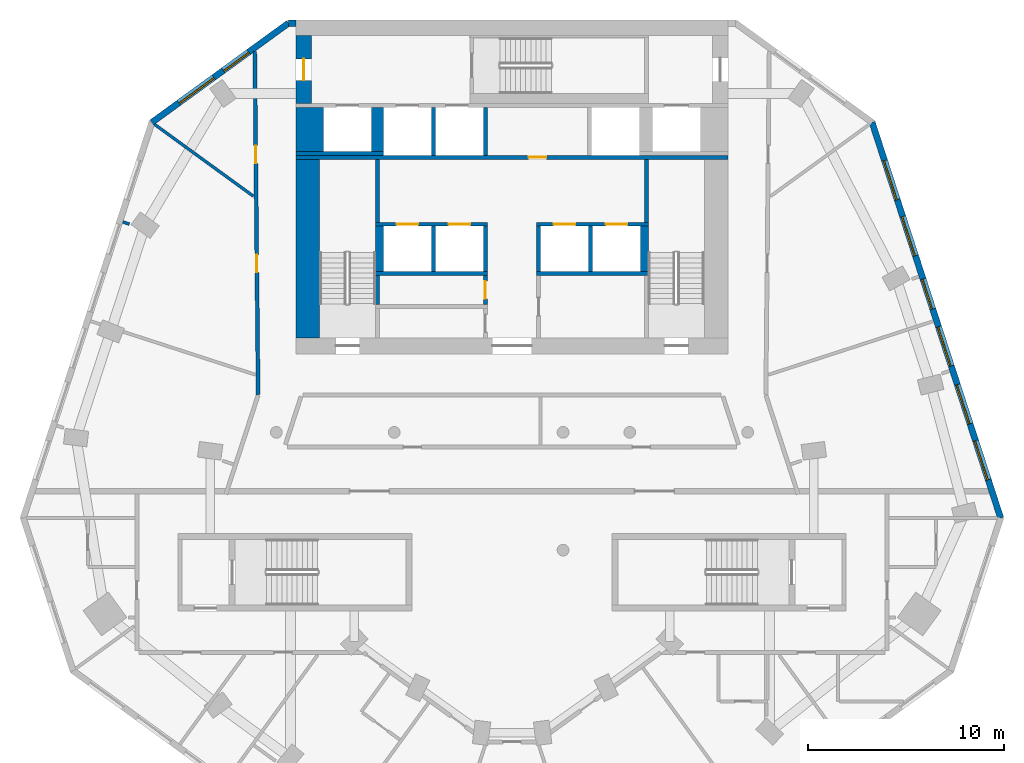
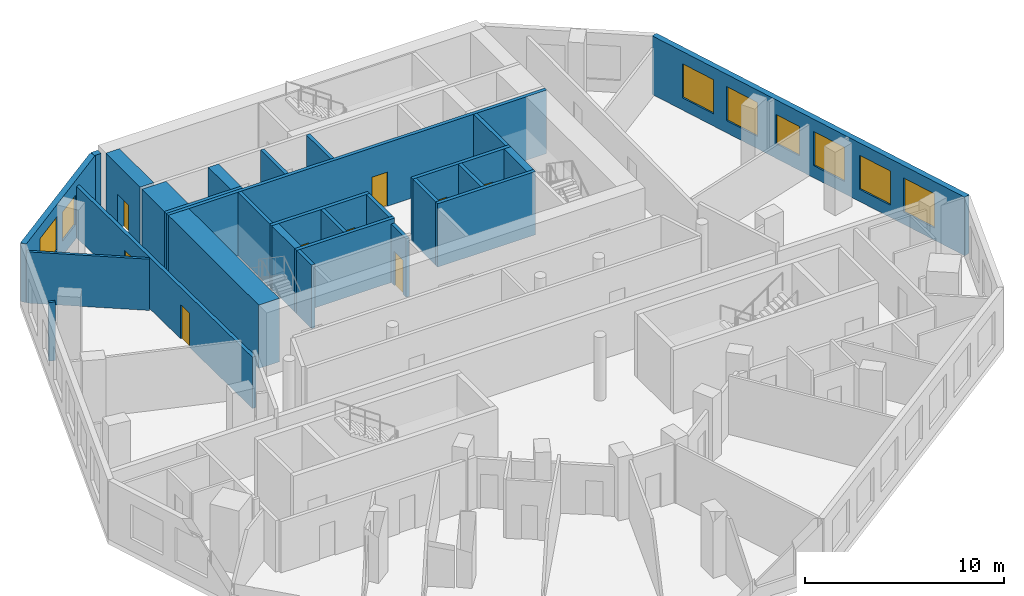
# One storey, part 5 of 9: 28 walls, 9 doors, 8 windows, 17 openings.
"""IFC4 building model written with IfcOpenShell, lengths in metres."""

from ifc_helpers import new_model, si_unit, direction, frame, frame_2d, origin, place, context, subcontext, project, spatial, rectangle, extrude, material, layer, layer_set, type_object, element, fill, save


model = new_model("IFC4")

# Units and contexts
model_context = context("Model", 3, precision=1e-05, world=origin(), true_north=direction((0.0, 1.0)))
body_context = subcontext(model_context, "Body", "Model", "MODEL_VIEW")
ifc_project = project(units=[si_unit("LENGTHUNIT", "METRE"), si_unit("AREAUNIT", "SQUARE_METRE"), si_unit("VOLUMEUNIT", "CUBIC_METRE"), si_unit("PLANEANGLEUNIT", "RADIAN"), si_unit("MASSUNIT", "GRAM", prefix="KILO")], contexts=[model_context])

# Site, building, storey
site_placement = place(None, origin())
site = spatial("IfcSite", under=ifc_project, at=site_placement, CompositionType="ELEMENT")
building_placement = place(site_placement, origin())
building = spatial("IfcBuilding", under=site, at=building_placement, Name="White Candle Pilgrim Tower", CompositionType="ELEMENT")
storey_placement = place(building_placement, frame((0.0, 0.0, 204.300048828125)))
storey = spatial("IfcBuildingStorey", under=building, at=storey_placement, Name="L47", CompositionType="ELEMENT", Elevation=204.300048828125)

# Walls
ifc_material_1 = material(Name="Concrete C50/60", Category="concrete")
ifc_layer_1 = layer(ifc_material_1, 1.39990234375)
ifc_layer_set_1 = layer_set([ifc_layer_1], Name="Core wall 1400 mm Concrete C50/60")
wall_type_1 = type_object("IfcWallType", Name="Core wall 1400 mm Concrete C50/60", PredefinedType="SHEAR", material=ifc_layer_set_1)
wall_1_placement = place(storey_placement, frame((59.699951171875, 81.300048828125, 0.0), z_axis=(0.0, 0.0, 1.0), x_axis=(0.0, 1.0, 0.0)))
element("IfcWall", 1, at=wall_1_placement, inside=storey, type_object=wall_type_1, Name="WL-L47-C39", PredefinedType="SHEAR", context=body_context, shape_type="SweptSolid", body=[
    extrude(rectangle(XDim=2.25, YDim=1.39990234375, at=frame_2d((1.125, 0.0))), origin(), (0.0, 0.0, 1.0), 3.89990234375),
])
ifc_layer_2 = layer(ifc_material_1, 0.199951171875)
ifc_layer_set_2 = layer_set([ifc_layer_2], Name="Core wall 200 mm Concrete C50/60")
wall_type_2 = type_object("IfcWallType", Name="Core wall 200 mm Concrete C50/60", PredefinedType="SHEAR", material=ifc_layer_set_2)
wall_2_placement = place(storey_placement, frame((59.0, 81.199951171875, 0.0), z_axis=(0.0, 0.0, 1.0), x_axis=(1.0, 0.0, 0.0)))
element("IfcWall", 2, at=wall_2_placement, inside=storey, type_object=wall_type_2, Name="WL-L47-C34", PredefinedType="SHEAR", context=body_context, shape_type="SweptSolid", body=[
    extrude(rectangle(XDim=4.449951171875, YDim=0.199951171875, at=frame_2d((2.22509765625, 0.0))), origin(), (0.0, 0.0, 1.0), 3.89990234375),
])

# Wall, opening, door
ifc_layer_3 = layer(ifc_material_1, 0.800048828125)
ifc_layer_set_3 = layer_set([ifc_layer_3], Name="Core wall 800 mm Concrete C50/60")
wall_type_3 = type_object("IfcWallType", Name="Core wall 800 mm Concrete C50/60", PredefinedType="SHEAR", material=ifc_layer_set_3)
wall_3_placement = place(storey_placement, frame((59.39990234375, 83.75, 0.0), z_axis=(0.0, 0.0, 1.0), x_axis=(0.0, 1.0, 0.0)))
wall_3 = element("IfcWall", 3, at=wall_3_placement, inside=storey, type_object=wall_type_3, Name="WL-L47-C44", PredefinedType="SHEAR", context=body_context, shape_type="SweptSolid", body=[
    extrude(rectangle(XDim=3.449951171875, YDim=0.800048828125, at=frame_2d((1.72509765625, 0.0))), origin(), (0.0, 0.0, 1.0), 3.89990234375),
])
opening_1_placement = place(wall_3_placement, frame((1.175048828125, 0.0, 0.0)))
opening_1 = element("IfcOpeningElement", 4, at=opening_1_placement, cuts=wall_3, Name="Opening T14-008", PredefinedType="OPENING", context=body_context, shape_type="SweptSolid", body=[
    extrude(rectangle(XDim=1.10009765625, YDim=2.10009765625, at=frame_2d((0.550048828125, 1.050048828125))), frame((0.0, 0.409912109375, 0.0), z_axis=(0.0, -1.0, 0.0), x_axis=(1.0, 0.0, 0.0)), (0.0, 0.0, 1.0), 0.820068359375),
])
ifc_material_2 = material(Name="Steel door leaf", Category="steel")
door_type_1 = type_object("IfcDoorType", Name="Fire door 1100 x 2100 EI 60", OperationType="NOTDEFINED", PredefinedType="DOOR", material=ifc_material_2)
door_1_placement = place(opening_1_placement, origin())
door_1 = element("IfcDoor", 5, at=door_1_placement, inside=storey, type_object=door_type_1, Name="Door T14-008", OperationType="SINGLE_SWING_RIGHT", OverallHeight=2.10009765625, OverallWidth=1.10009765625, PredefinedType="DOOR", context=body_context, shape_type="SweptSolid", body=[
    extrude(rectangle(XDim=1.10009765625, YDim=2.10009765625, at=frame_2d((0.550048828125, 1.050048828125))), frame((0.0, 0.02490234375, 0.0), z_axis=(0.0, -1.0, 0.0), x_axis=(1.0, 0.0, 0.0)), (0.0, 0.0, 1.0), 0.050048828125),
])
fill(opening_1, door_1)

# Wall, openings, doors
ifc_material_3 = material(Name="Gypsum board on steel studs", Category="steel")
ifc_layer_4 = layer(ifc_material_3, 0.199951171875)
ifc_layer_set_4 = layer_set([ifc_layer_4], Name="Corridor wall 200 mm EI 45")
wall_type_4 = type_object("IfcWallType", Name="Corridor wall 200 mm EI 45", PredefinedType="PARTITIONING", material=ifc_layer_set_4)
wall_4_placement = place(storey_placement, frame((57.072021484375, 68.916259765625, 0.0), z_axis=(0.0, 0.0, 1.0), x_axis=(-0.009846166448, 0.999951525328, 0.0)))
wall_4 = element("IfcWall", 6, at=wall_4_placement, inside=storey, type_object=wall_type_4, Name="WL-L47-P003", PredefinedType="PARTITIONING", context=body_context, shape_type="SweptSolid", body=[
    extrude(rectangle(XDim=17.480712890625, YDim=0.199951171875, at=frame_2d((8.740234375, 0.0))), origin(), (0.0, 0.0, 1.0), 3.14990234375),
])
opening_2_placement = place(wall_4_placement, frame((6.227294921875, 0.0, 0.0)))
opening_2 = element("IfcOpeningElement", 7, at=opening_2_placement, cuts=wall_4, Name="Opening T14-119", PredefinedType="OPENING", context=body_context, shape_type="SweptSolid", body=[
    extrude(rectangle(XDim=0.89990234375, YDim=2.10009765625, at=frame_2d((0.449951171875, 1.050048828125))), frame((0.0, 0.10986328125, 0.0), z_axis=(0.0, -1.0, 0.0), x_axis=(1.0, 0.0, 0.0)), (0.0, 0.0, 1.0), 0.219970703125),
])
opening_3_placement = place(wall_4_placement, frame((11.78662109375, 0.0, 0.0)))
opening_3 = element("IfcOpeningElement", 8, at=opening_3_placement, cuts=wall_4, Name="Opening T14-120", PredefinedType="OPENING", context=body_context, shape_type="SweptSolid", body=[
    extrude(rectangle(XDim=0.89990234375, YDim=2.10009765625, at=frame_2d((0.449951171875, 1.050048828125))), frame((0.0, 0.10986328125, 0.0), z_axis=(0.0, -1.0, 0.0), x_axis=(1.0, 0.0, 0.0)), (0.0, 0.0, 1.0), 0.219970703125),
])
door_type_2 = type_object("IfcDoorType", Name="Fire door 900 x 2100 EI 30", OperationType="NOTDEFINED", PredefinedType="DOOR", material=ifc_material_2)
door_2_placement = place(opening_2_placement, origin())
door_2 = element("IfcDoor", 9, at=door_2_placement, inside=storey, type_object=door_type_2, Name="Door T14-119", OperationType="SINGLE_SWING_LEFT", OverallHeight=2.10009765625, OverallWidth=0.89990234375, PredefinedType="DOOR", context=body_context, shape_type="SweptSolid", body=[
    extrude(rectangle(XDim=0.89990234375, YDim=2.10009765625, at=frame_2d((0.449951171875, 1.050048828125))), frame((0.0, 0.02490234375, 0.0), z_axis=(0.0, -1.0, 0.0), x_axis=(1.0, 0.0, 0.0)), (0.0, 0.0, 1.0), 0.050048828125),
])
fill(opening_2, door_2)
door_3_placement = place(opening_3_placement, origin())
door_3 = element("IfcDoor", 10, at=door_3_placement, inside=storey, type_object=door_type_2, Name="Door T14-120", OperationType="SINGLE_SWING_RIGHT", OverallHeight=2.10009765625, OverallWidth=0.89990234375, PredefinedType="DOOR", context=body_context, shape_type="SweptSolid", body=[
    extrude(rectangle(XDim=0.89990234375, YDim=2.10009765625, at=frame_2d((0.449951171875, 1.050048828125))), frame((0.0, 0.02490234375, 0.0), z_axis=(0.0, -1.0, 0.0), x_axis=(1.0, 0.0, 0.0)), (0.0, 0.0, 1.0), 0.050048828125),
])
fill(opening_3, door_3)

# Wall, openings, windows
ifc_material_4 = material(Name="Precast concrete C40/50", Category="concrete")
ifc_layer_5 = layer(ifc_material_4, 0.320068359375)
ifc_layer_set_5 = layer_set([ifc_layer_5], Name="Facade wall EW1 precast concrete C40/50 pier wall with timber-lined reveals")
wall_type_5 = type_object("IfcWallType", Name="Facade wall EW1 precast concrete C40/50 pier wall with timber-lined reveals", PredefinedType="SOLIDWALL", material=ifc_layer_set_5)
wall_5_placement = place(storey_placement, frame((94.88720703125, 62.6416015625, 0.0), z_axis=(0.0, 0.0, 1.0), x_axis=(-0.309019087741, 0.951055836117, 0.0)))
wall_5 = element("IfcWall", 11, at=wall_5_placement, inside=storey, type_object=wall_type_5, Name="Facade wall L47 ENE", PredefinedType="SOLIDWALL", context=body_context, shape_type="SweptSolid", body=[
    extrude(rectangle(XDim=21.180419921875, YDim=0.320068359375, at=frame_2d((10.59033203125, 0.0))), origin(), (0.0, 0.0, 1.0), 3.599853515625),
])
opening_4_placement = place(wall_5_placement, frame((2.040283203125, 0.0, 0.75)))
opening_4 = element("IfcOpeningElement", 12, at=opening_4_placement, cuts=wall_5, Name="Opening W3", PredefinedType="OPENING", context=body_context, shape_type="SweptSolid", body=[
    extrude(rectangle(XDim=2.10009765625, YDim=2.10009765625, at=frame_2d((1.050048828125, 1.050048828125))), frame((0.0, 0.169921875, 0.0), z_axis=(0.0, -1.0, 0.0), x_axis=(1.0, 0.0, 0.0)), (0.0, 0.0, 1.0), 0.340087890625),
])
opening_5_placement = place(wall_5_placement, frame((5.040283203125, 0.0, 0.75)))
opening_5 = element("IfcOpeningElement", 13, at=opening_5_placement, cuts=wall_5, Name="Opening W3", PredefinedType="OPENING", context=body_context, shape_type="SweptSolid", body=[
    extrude(rectangle(XDim=2.10009765625, YDim=2.10009765625, at=frame_2d((1.050048828125, 1.050048828125))), frame((0.0, 0.169921875, 0.0), z_axis=(0.0, -1.0, 0.0), x_axis=(1.0, 0.0, 0.0)), (0.0, 0.0, 1.0), 0.340087890625),
])
opening_6_placement = place(wall_5_placement, frame((8.14013671875, 0.0, 0.75)))
opening_6 = element("IfcOpeningElement", 14, at=opening_6_placement, cuts=wall_5, Name="Opening W3", PredefinedType="OPENING", context=body_context, shape_type="SweptSolid", body=[
    extrude(rectangle(XDim=2.10009765625, YDim=2.10009765625, at=frame_2d((1.050048828125, 1.050048828125))), frame((0.0, 0.169921875, 0.0), z_axis=(0.0, -1.0, 0.0), x_axis=(1.0, 0.0, 0.0)), (0.0, 0.0, 1.0), 0.340087890625),
])
opening_7_placement = place(wall_5_placement, frame((11.190185546875, 0.0, 0.89990234375)))
opening_7 = element("IfcOpeningElement", 15, at=opening_7_placement, cuts=wall_5, Name="Opening W2", PredefinedType="OPENING", context=body_context, shape_type="SweptSolid", body=[
    extrude(rectangle(XDim=1.60009765625, YDim=1.800048828125, at=frame_2d((0.800048828125, 0.89990234375))), frame((0.0, 0.169921875, 0.0), z_axis=(0.0, -1.0, 0.0), x_axis=(1.0, 0.0, 0.0)), (0.0, 0.0, 1.0), 0.340087890625),
])
opening_8_placement = place(wall_5_placement, frame((14.040283203125, 0.0, 0.75)))
opening_8 = element("IfcOpeningElement", 16, at=opening_8_placement, cuts=wall_5, Name="Opening W3", PredefinedType="OPENING", context=body_context, shape_type="SweptSolid", body=[
    extrude(rectangle(XDim=2.10009765625, YDim=2.10009765625, at=frame_2d((1.050048828125, 1.050048828125))), frame((0.0, 0.169921875, 0.0), z_axis=(0.0, -1.0, 0.0), x_axis=(1.0, 0.0, 0.0)), (0.0, 0.0, 1.0), 0.340087890625),
])
opening_9_placement = place(wall_5_placement, frame((17.040283203125, 0.0, 0.75)))
opening_9 = element("IfcOpeningElement", 17, at=opening_9_placement, cuts=wall_5, Name="Opening W3", PredefinedType="OPENING", context=body_context, shape_type="SweptSolid", body=[
    extrude(rectangle(XDim=2.10009765625, YDim=2.10009765625, at=frame_2d((1.050048828125, 1.050048828125))), frame((0.0, 0.169921875, 0.0), z_axis=(0.0, -1.0, 0.0), x_axis=(1.0, 0.0, 0.0)), (0.0, 0.0, 1.0), 0.340087890625),
])
ifc_material_5 = material(Name="Timber frame with triple glazing", Category="wood")
window_type_1 = type_object("IfcWindowType", Name="Window W2 1600x1800 timber frame triple glazing", PartitioningType="SINGLE_PANEL", PredefinedType="WINDOW", material=ifc_material_5)
window_1_placement = place(opening_7_placement, origin())
window_1 = element("IfcWindow", 18, at=window_1_placement, inside=storey, type_object=window_type_1, Name="Window W2 L47 ENE 4", OverallHeight=1.800048828125, OverallWidth=1.60009765625, PartitioningType="SINGLE_PANEL", PredefinedType="WINDOW", context=body_context, shape_type="SweptSolid", body=[
    extrude(rectangle(XDim=1.60009765625, YDim=1.800048828125, at=frame_2d((0.800048828125, 0.89990234375))), frame((0.0, 0.070068359375, 0.0), z_axis=(0.0, -1.0, 0.0), x_axis=(1.0, 0.0, 0.0)), (0.0, 0.0, 1.0), 0.06005859375),
])
fill(opening_7, window_1)
window_type_2 = type_object("IfcWindowType", Name="Window W3 2100x2100 timber frame triple glazing", PartitioningType="SINGLE_PANEL", PredefinedType="WINDOW", material=ifc_material_5)
window_2_placement = place(opening_4_placement, origin())
window_2 = element("IfcWindow", 19, at=window_2_placement, inside=storey, type_object=window_type_2, Name="Window W3 L47 ENE 1", OverallHeight=2.10009765625, OverallWidth=2.10009765625, PartitioningType="SINGLE_PANEL", PredefinedType="WINDOW", context=body_context, shape_type="SweptSolid", body=[
    extrude(rectangle(XDim=2.10009765625, YDim=2.10009765625, at=frame_2d((1.050048828125, 1.050048828125))), frame((0.0, 0.070068359375, 0.0), z_axis=(0.0, -1.0, 0.0), x_axis=(1.0, 0.0, 0.0)), (0.0, 0.0, 1.0), 0.06005859375),
])
fill(opening_4, window_2)
window_3_placement = place(opening_5_placement, origin())
window_3 = element("IfcWindow", 20, at=window_3_placement, inside=storey, type_object=window_type_2, Name="Window W3 L47 ENE 2", OverallHeight=2.10009765625, OverallWidth=2.10009765625, PartitioningType="SINGLE_PANEL", PredefinedType="WINDOW", context=body_context, shape_type="SweptSolid", body=[
    extrude(rectangle(XDim=2.10009765625, YDim=2.10009765625, at=frame_2d((1.050048828125, 1.050048828125))), frame((0.0, 0.070068359375, 0.0), z_axis=(0.0, -1.0, 0.0), x_axis=(1.0, 0.0, 0.0)), (0.0, 0.0, 1.0), 0.06005859375),
])
fill(opening_5, window_3)
window_4_placement = place(opening_6_placement, origin())
window_4 = element("IfcWindow", 21, at=window_4_placement, inside=storey, type_object=window_type_2, Name="Window W3 L47 ENE 3", OverallHeight=2.10009765625, OverallWidth=2.10009765625, PartitioningType="SINGLE_PANEL", PredefinedType="WINDOW", context=body_context, shape_type="SweptSolid", body=[
    extrude(rectangle(XDim=2.10009765625, YDim=2.10009765625, at=frame_2d((1.050048828125, 1.050048828125))), frame((0.0, 0.070068359375, 0.0), z_axis=(0.0, -1.0, 0.0), x_axis=(1.0, 0.0, 0.0)), (0.0, 0.0, 1.0), 0.06005859375),
])
fill(opening_6, window_4)
window_5_placement = place(opening_8_placement, origin())
window_5 = element("IfcWindow", 22, at=window_5_placement, inside=storey, type_object=window_type_2, Name="Window W3 L47 ENE 5", OverallHeight=2.10009765625, OverallWidth=2.10009765625, PartitioningType="SINGLE_PANEL", PredefinedType="WINDOW", context=body_context, shape_type="SweptSolid", body=[
    extrude(rectangle(XDim=2.10009765625, YDim=2.10009765625, at=frame_2d((1.050048828125, 1.050048828125))), frame((0.0, 0.070068359375, 0.0), z_axis=(0.0, -1.0, 0.0), x_axis=(1.0, 0.0, 0.0)), (0.0, 0.0, 1.0), 0.06005859375),
])
fill(opening_8, window_5)
window_6_placement = place(opening_9_placement, origin())
window_6 = element("IfcWindow", 23, at=window_6_placement, inside=storey, type_object=window_type_2, Name="Window W3 L47 ENE 6", OverallHeight=2.10009765625, OverallWidth=2.10009765625, PartitioningType="SINGLE_PANEL", PredefinedType="WINDOW", context=body_context, shape_type="SweptSolid", body=[
    extrude(rectangle(XDim=2.10009765625, YDim=2.10009765625, at=frame_2d((1.050048828125, 1.050048828125))), frame((0.0, 0.070068359375, 0.0), z_axis=(0.0, -1.0, 0.0), x_axis=(1.0, 0.0, 0.0)), (0.0, 0.0, 1.0), 0.06005859375),
])
fill(opening_9, window_6)

# Wall
wall_6_placement = place(storey_placement, frame((59.0, 87.840087890625, 0.0), z_axis=(0.0, 0.0, 1.0), x_axis=(-1.0, 0.0, 0.0)))
element("IfcWall", 24, at=wall_6_placement, inside=storey, type_object=wall_type_5, Name="Facade wall L47 N", PredefinedType="SOLIDWALL", context=body_context, shape_type="SweptSolid", body=[
    extrude(rectangle(XDim=0.385009765625, YDim=0.320068359375, at=frame_2d((0.1923828125, 0.0))), origin(), (0.0, 0.0, 1.0), 3.599853515625),
])

# Wall, openings, windows
wall_7_placement = place(storey_placement, frame((58.614990234375, 87.840087890625, 0.0), z_axis=(0.0, 0.0, 1.0), x_axis=(-0.809010998506, -0.58779350481, 0.0)))
wall_7 = element("IfcWall", 25, at=wall_7_placement, inside=storey, type_object=wall_type_5, Name="Facade wall L47 NW chamfer", PredefinedType="SOLIDWALL", context=body_context, shape_type="SweptSolid", body=[
    extrude(rectangle(XDim=8.599365234375, YDim=0.320068359375, at=frame_2d((4.2998046875, 0.0))), origin(), (0.0, 0.0, 1.0), 3.599853515625),
])
opening_10_placement = place(wall_7_placement, frame((2.499755859375, 0.0, 0.89990234375)))
opening_10 = element("IfcOpeningElement", 26, at=opening_10_placement, cuts=wall_7, Name="Opening W2", PredefinedType="OPENING", context=body_context, shape_type="SweptSolid", body=[
    extrude(rectangle(XDim=1.60009765625, YDim=1.800048828125, at=frame_2d((0.800048828125, 0.89990234375))), frame((0.0, 0.169921875, 0.0), z_axis=(0.0, -1.0, 0.0), x_axis=(1.0, 0.0, 0.0)), (0.0, 0.0, 1.0), 0.340087890625),
])
opening_11_placement = place(wall_7_placement, frame((4.69970703125, 0.0, 0.75)))
opening_11 = element("IfcOpeningElement", 27, at=opening_11_placement, cuts=wall_7, Name="Opening W4", PredefinedType="OPENING", context=body_context, shape_type="SweptSolid", body=[
    extrude(rectangle(XDim=2.199951171875, YDim=2.10009765625, at=frame_2d((1.10009765625, 1.050048828125))), frame((0.0, 0.169921875, 0.0), z_axis=(0.0, -1.0, 0.0), x_axis=(1.0, 0.0, 0.0)), (0.0, 0.0, 1.0), 0.340087890625),
])
window_7_placement = place(opening_10_placement, origin())
window_7 = element("IfcWindow", 28, at=window_7_placement, inside=storey, type_object=window_type_1, Name="Window W2 L47 NW chamfer 1", OverallHeight=1.800048828125, OverallWidth=1.60009765625, PartitioningType="SINGLE_PANEL", PredefinedType="WINDOW", context=body_context, shape_type="SweptSolid", body=[
    extrude(rectangle(XDim=1.60009765625, YDim=1.800048828125, at=frame_2d((0.800048828125, 0.89990234375))), frame((0.0, 0.070068359375, 0.0), z_axis=(0.0, -1.0, 0.0), x_axis=(1.0, 0.0, 0.0)), (0.0, 0.0, 1.0), 0.06005859375),
])
fill(opening_10, window_7)
window_type_3 = type_object("IfcWindowType", Name="Window W4 2200x2100 timber frame triple glazing", PartitioningType="SINGLE_PANEL", PredefinedType="WINDOW", material=ifc_material_5)
window_8_placement = place(opening_11_placement, origin())
window_8 = element("IfcWindow", 29, at=window_8_placement, inside=storey, type_object=window_type_3, Name="Window W4 L47 NW chamfer 2", OverallHeight=2.10009765625, OverallWidth=2.199951171875, PartitioningType="SINGLE_PANEL", PredefinedType="WINDOW", context=body_context, shape_type="SweptSolid", body=[
    extrude(rectangle(XDim=2.199951171875, YDim=2.10009765625, at=frame_2d((1.10009765625, 1.050048828125))), frame((0.0, 0.070068359375, 0.0), z_axis=(0.0, -1.0, 0.0), x_axis=(1.0, 0.0, 0.0)), (0.0, 0.0, 1.0), 0.06005859375),
])
fill(opening_11, window_8)

# Wall, opening, door
ifc_layer_6 = layer(ifc_material_3, 0.199951171875)
ifc_layer_set_6 = layer_set([ifc_layer_6], Name="Lobby wall 200 mm EI 60")
wall_type_6 = type_object("IfcWallType", Name="Lobby wall 200 mm EI 60", PredefinedType="PARTITIONING", material=ifc_layer_set_6)
wall_8_placement = place(storey_placement, frame((68.64990234375, 73.5, 0.0), z_axis=(0.0, 0.0, 1.0), x_axis=(0.0, 1.0, 0.0)))
wall_8 = element("IfcWall", 30, at=wall_8_placement, inside=storey, type_object=wall_type_6, Name="WL-L47-C20", PredefinedType="PARTITIONING", context=body_context, shape_type="SweptSolid", body=[
    extrude(rectangle(XDim=1.5, YDim=0.199951171875, at=frame_2d((0.75, 0.0))), origin(), (0.0, 0.0, 1.0), 3.599853515625),
])
opening_12_placement = place(wall_8_placement, frame((0.300048828125, 0.0, 0.0)))
opening_12 = element("IfcOpeningElement", 31, at=opening_12_placement, cuts=wall_8, Name="Opening T14-006", PredefinedType="OPENING", context=body_context, shape_type="SweptSolid", body=[
    extrude(rectangle(XDim=0.89990234375, YDim=2.10009765625, at=frame_2d((0.449951171875, 1.050048828125))), frame((0.0, 0.10986328125, 0.0), z_axis=(0.0, -1.0, 0.0), x_axis=(1.0, 0.0, 0.0)), (0.0, 0.0, 1.0), 0.219970703125),
])
door_4_placement = place(opening_12_placement, origin())
door_4 = element("IfcDoor", 32, at=door_4_placement, inside=storey, type_object=door_type_2, Name="Door T14-006", OperationType="SINGLE_SWING_RIGHT", OverallHeight=2.10009765625, OverallWidth=0.89990234375, PredefinedType="DOOR", context=body_context, shape_type="SweptSolid", body=[
    extrude(rectangle(XDim=0.89990234375, YDim=2.10009765625, at=frame_2d((0.449951171875, 1.050048828125))), frame((0.0, 0.02490234375, 0.0), z_axis=(0.0, -1.0, 0.0), x_axis=(1.0, 0.0, 0.0)), (0.0, 0.0, 1.0), 0.050048828125),
])
fill(opening_12, door_4)

# Walls
ifc_layer_7 = layer(ifc_material_3, 0.14990234375)
ifc_layer_set_7 = layer_set([ifc_layer_7], Name="Partition 150 mm EI 60")
wall_type_7 = type_object("IfcWallType", Name="Partition 150 mm EI 60", PredefinedType="PARTITIONING", material=ifc_layer_set_7)
wall_9_placement = place(storey_placement, frame((51.7939453125, 82.6865234375, 0.0), z_axis=(0.0, 0.0, 1.0), x_axis=(0.809027823237, -0.587770347354, 0.0)))
element("IfcWall", 33, at=wall_9_placement, inside=storey, type_object=wall_type_7, Name="WL-L47-P017", PredefinedType="PARTITIONING", context=body_context, shape_type="SweptSolid", body=[
    extrude(rectangle(XDim=6.22216796875, YDim=0.14990234375, at=frame_2d((3.111083984375, 0.0))), origin(), (0.0, 0.0, 1.0), 3.14990234375),
])
wall_10_placement = place(storey_placement, frame((50.514404296875, 77.607421875, 0.0), z_axis=(0.0, 0.0, 1.0), x_axis=(-0.951079872945, 0.308945100753, 0.0)))
element("IfcWall", 34, at=wall_10_placement, inside=storey, type_object=wall_type_7, Name="WL-L47-P051", PredefinedType="PARTITIONING", context=body_context, shape_type="SweptSolid", body=[
    extrude(rectangle(XDim=0.3525390625, YDim=0.14990234375, at=frame_2d((0.17626953125, 0.0))), origin(), (0.0, 0.0, 1.0), 3.599853515625),
])
ifc_layer_8 = layer(ifc_material_1, 0.199951171875)
ifc_layer_set_8 = layer_set([ifc_layer_8], Name="Shaft wall 200 mm Concrete C50/60")
wall_type_8 = type_object("IfcWallType", Name="Shaft wall 200 mm Concrete C50/60", PredefinedType="SHEAR", material=ifc_layer_set_8)
for number, where, z_axis, x_axis, name in (
    (35, (66.0, 75.199951171875, 0.0), (0.0, 0.0, 1.0), (0.0, 1.0, 0.0), "WL-L47-C24"),
    (36, (68.64990234375, 75.199951171875, 0.0), (0.0, 0.0, 1.0), (0.0, 1.0, 0.0), "WL-L47-C25"),
    (37, (71.35009765625, 75.199951171875, 0.0), (0.0, 0.0, 1.0), (0.0, 1.0, 0.0), "WL-L47-C26"),
    (38, (74.0, 75.199951171875, 0.0), (0.0, 0.0, 1.0), (0.0, 1.0, 0.0), "WL-L47-C27"),
):
    element("IfcWall", number, at=place(storey_placement, frame(where, z_axis=z_axis, x_axis=x_axis)), inside=storey, type_object=wall_type_8, Name=name, PredefinedType="SHEAR", context=body_context, shape_type="SweptSolid", body=[
        extrude(rectangle(XDim=2.300048828125, YDim=0.199951171875, at=frame_2d((1.14990234375, 0.0))), origin(), (0.0, 0.0, 1.0), 3.89990234375),
    ])
for number, where, z_axis, x_axis, name in (
    (39, (66.0, 81.10009765625, 0.0), (0.0, 0.0, 1.0), (0.0, 1.0, 0.0), "WL-L47-C35"),
    (40, (68.64990234375, 81.10009765625, 0.0), (0.0, 0.0, 1.0), (0.0, 1.0, 0.0), "WL-L47-C36"),
):
    element("IfcWall", number, at=place(storey_placement, frame(where, z_axis=z_axis, x_axis=x_axis)), inside=storey, type_object=wall_type_8, Name=name, PredefinedType="SHEAR", context=body_context, shape_type="SweptSolid", body=[
        extrude(rectangle(XDim=2.449951171875, YDim=0.199951171875, at=frame_2d((1.22509765625, 0.0))), origin(), (0.0, 0.0, 1.0), 3.89990234375),
    ])
ifc_layer_9 = layer(ifc_material_1, 0.60009765625)
ifc_layer_set_9 = layer_set([ifc_layer_9], Name="Shaft wall 600 mm Concrete C50/60")
wall_type_9 = type_object("IfcWallType", Name="Shaft wall 600 mm Concrete C50/60", PredefinedType="SHEAR", material=ifc_layer_set_9)
wall_11_placement = place(storey_placement, frame((63.14990234375, 81.300048828125, 0.0), z_axis=(0.0, 0.0, 1.0), x_axis=(0.0, 1.0, 0.0)))
element("IfcWall", 41, at=wall_11_placement, inside=storey, type_object=wall_type_9, Name="WL-L47-C40", PredefinedType="SHEAR", context=body_context, shape_type="SweptSolid", body=[
    extrude(rectangle(XDim=2.25, YDim=0.60009765625, at=frame_2d((1.125, 0.0))), origin(), (0.0, 0.0, 1.0), 3.89990234375),
])
ifc_layer_10 = layer(ifc_material_1, 1.199951171875)
ifc_layer_set_10 = layer_set([ifc_layer_10], Name="Stair shaft wall 1200 mm Concrete C50/60")
wall_type_10 = type_object("IfcWallType", Name="Stair shaft wall 1200 mm Concrete C50/60", PredefinedType="SHEAR", material=ifc_layer_set_10)
wall_12_placement = place(storey_placement, frame((59.60009765625, 71.800048828125, 0.0), z_axis=(0.0, 0.0, 1.0), x_axis=(0.0, 1.0, 0.0)))
element("IfcWall", 42, at=wall_12_placement, inside=storey, type_object=wall_type_10, Name="WL-L47-C12", PredefinedType="SHEAR", context=body_context, shape_type="SweptSolid", body=[
    extrude(rectangle(XDim=9.099853515625, YDim=1.199951171875, at=frame_2d((4.5498046875, 0.0))), origin(), (0.0, 0.0, 1.0), 3.89990234375),
])
ifc_layer_11 = layer(ifc_material_1, 0.199951171875)
ifc_layer_set_11 = layer_set([ifc_layer_11], Name="Stair shaft wall 200 mm Concrete C50/60")
wall_type_11 = type_object("IfcWallType", Name="Stair shaft wall 200 mm Concrete C50/60", PredefinedType="SHEAR", material=ifc_layer_set_11)
wall_13_placement = place(storey_placement, frame((63.14990234375, 73.5, 0.0), z_axis=(0.0, 0.0, 1.0), x_axis=(0.0, 1.0, 0.0)))
element("IfcWall", 43, at=wall_13_placement, inside=storey, type_object=wall_type_11, Name="WL-L47-C19", PredefinedType="SHEAR", context=body_context, shape_type="SweptSolid", body=[
    extrude(rectangle(XDim=1.5, YDim=0.199951171875, at=frame_2d((0.75, 0.0))), origin(), (0.0, 0.0, 1.0), 3.89990234375),
])
for number, where, z_axis, x_axis, name in (
    (44, (63.050048828125, 75.10009765625, 0.0), (0.0, 0.0, 1.0), (1.0, 0.0, 0.0), "WL-L47-C21"),
    (45, (71.25, 75.10009765625, 0.0), (0.0, 0.0, 1.0), (1.0, 0.0, 0.0), "WL-L47-C22"),
):
    element("IfcWall", number, at=place(storey_placement, frame(where, z_axis=z_axis, x_axis=x_axis)), inside=storey, type_object=wall_type_11, Name=name, PredefinedType="SHEAR", context=body_context, shape_type="SweptSolid", body=[
        extrude(rectangle(XDim=5.699951171875, YDim=0.199951171875, at=frame_2d((2.85009765625, 0.0))), origin(), (0.0, 0.0, 1.0), 3.89990234375),
    ])

# Wall, openings, doors
wall_14_placement = place(storey_placement, frame((63.050048828125, 77.60009765625, 0.0), z_axis=(0.0, 0.0, 1.0), x_axis=(1.0, 0.0, 0.0)))
wall_14 = element("IfcWall", 46, at=wall_14_placement, inside=storey, type_object=wall_type_11, Name="WL-L47-C29", PredefinedType="SHEAR", context=body_context, shape_type="SweptSolid", body=[
    extrude(rectangle(XDim=5.699951171875, YDim=0.199951171875, at=frame_2d((2.85009765625, 0.0))), origin(), (0.0, 0.0, 1.0), 3.89990234375),
])
opening_13_placement = place(wall_14_placement, frame((1.074951171875, 0.0, 0.0)))
opening_13 = element("IfcOpeningElement", 47, at=opening_13_placement, cuts=wall_14, Name="Opening T14-014", PredefinedType="OPENING", context=body_context, shape_type="SweptSolid", body=[
    extrude(rectangle(XDim=1.10009765625, YDim=2.10009765625, at=frame_2d((0.550048828125, 1.050048828125))), frame((0.0, 0.10986328125, 0.0), z_axis=(0.0, -1.0, 0.0), x_axis=(1.0, 0.0, 0.0)), (0.0, 0.0, 1.0), 0.219970703125),
])
opening_14_placement = place(wall_14_placement, frame((3.72509765625, 0.0, 0.0)))
opening_14 = element("IfcOpeningElement", 48, at=opening_14_placement, cuts=wall_14, Name="Opening T14-015", PredefinedType="OPENING", context=body_context, shape_type="SweptSolid", body=[
    extrude(rectangle(XDim=1.10009765625, YDim=2.10009765625, at=frame_2d((0.550048828125, 1.050048828125))), frame((0.0, 0.10986328125, 0.0), z_axis=(0.0, -1.0, 0.0), x_axis=(1.0, 0.0, 0.0)), (0.0, 0.0, 1.0), 0.219970703125),
])
ifc_material_6 = material(Name="Stainless steel", Category="steel")
door_type_3 = type_object("IfcDoorType", Name="Lift landing door 1100 x 2100 E 60", OperationType="DOUBLE_DOOR_SLIDING", PredefinedType="DOOR", material=ifc_material_6)
door_5_placement = place(opening_13_placement, origin())
door_5 = element("IfcDoor", 49, at=door_5_placement, inside=storey, type_object=door_type_3, Name="Door T14-014", OperationType="DOUBLE_DOOR_SLIDING", OverallHeight=2.10009765625, OverallWidth=1.10009765625, PredefinedType="DOOR", context=body_context, shape_type="SweptSolid", body=[
    extrude(rectangle(XDim=1.10009765625, YDim=2.10009765625, at=frame_2d((0.550048828125, 1.050048828125))), frame((0.0, 0.02490234375, 0.0), z_axis=(0.0, -1.0, 0.0), x_axis=(1.0, 0.0, 0.0)), (0.0, 0.0, 1.0), 0.050048828125),
])
fill(opening_13, door_5)
door_6_placement = place(opening_14_placement, origin())
door_6 = element("IfcDoor", 50, at=door_6_placement, inside=storey, type_object=door_type_3, Name="Door T14-015", OperationType="DOUBLE_DOOR_SLIDING", OverallHeight=2.10009765625, OverallWidth=1.10009765625, PredefinedType="DOOR", context=body_context, shape_type="SweptSolid", body=[
    extrude(rectangle(XDim=1.10009765625, YDim=2.10009765625, at=frame_2d((0.550048828125, 1.050048828125))), frame((0.0, 0.02490234375, 0.0), z_axis=(0.0, -1.0, 0.0), x_axis=(1.0, 0.0, 0.0)), (0.0, 0.0, 1.0), 0.050048828125),
])
fill(opening_14, door_6)

wall_15_placement = place(storey_placement, frame((71.25, 77.60009765625, 0.0), z_axis=(0.0, 0.0, 1.0), x_axis=(1.0, 0.0, 0.0)))
wall_15 = element("IfcWall", 51, at=wall_15_placement, inside=storey, type_object=wall_type_11, Name="WL-L47-C30", PredefinedType="SHEAR", context=body_context, shape_type="SweptSolid", body=[
    extrude(rectangle(XDim=5.699951171875, YDim=0.199951171875, at=frame_2d((2.85009765625, 0.0))), origin(), (0.0, 0.0, 1.0), 3.89990234375),
])
opening_15_placement = place(wall_15_placement, frame((0.875, 0.0, 0.0)))
opening_15 = element("IfcOpeningElement", 52, at=opening_15_placement, cuts=wall_15, Name="Opening T14-016", PredefinedType="OPENING", context=body_context, shape_type="SweptSolid", body=[
    extrude(rectangle(XDim=1.10009765625, YDim=2.10009765625, at=frame_2d((0.550048828125, 1.050048828125))), frame((0.0, 0.10986328125, 0.0), z_axis=(0.0, -1.0, 0.0), x_axis=(1.0, 0.0, 0.0)), (0.0, 0.0, 1.0), 0.219970703125),
])
opening_16_placement = place(wall_15_placement, frame((3.52490234375, 0.0, 0.0)))
opening_16 = element("IfcOpeningElement", 53, at=opening_16_placement, cuts=wall_15, Name="Opening T14-017", PredefinedType="OPENING", context=body_context, shape_type="SweptSolid", body=[
    extrude(rectangle(XDim=1.10009765625, YDim=2.10009765625, at=frame_2d((0.550048828125, 1.050048828125))), frame((0.0, 0.10986328125, 0.0), z_axis=(0.0, -1.0, 0.0), x_axis=(1.0, 0.0, 0.0)), (0.0, 0.0, 1.0), 0.219970703125),
])
door_7_placement = place(opening_15_placement, origin())
door_7 = element("IfcDoor", 54, at=door_7_placement, inside=storey, type_object=door_type_3, Name="Door T14-016", OperationType="DOUBLE_DOOR_SLIDING", OverallHeight=2.10009765625, OverallWidth=1.10009765625, PredefinedType="DOOR", context=body_context, shape_type="SweptSolid", body=[
    extrude(rectangle(XDim=1.10009765625, YDim=2.10009765625, at=frame_2d((0.550048828125, 1.050048828125))), frame((0.0, 0.02490234375, 0.0), z_axis=(0.0, -1.0, 0.0), x_axis=(1.0, 0.0, 0.0)), (0.0, 0.0, 1.0), 0.050048828125),
])
fill(opening_15, door_7)
door_8_placement = place(opening_16_placement, origin())
door_8 = element("IfcDoor", 55, at=door_8_placement, inside=storey, type_object=door_type_3, Name="Door T14-017", OperationType="DOUBLE_DOOR_SLIDING", OverallHeight=2.10009765625, OverallWidth=1.10009765625, PredefinedType="DOOR", context=body_context, shape_type="SweptSolid", body=[
    extrude(rectangle(XDim=1.10009765625, YDim=2.10009765625, at=frame_2d((0.550048828125, 1.050048828125))), frame((0.0, 0.02490234375, 0.0), z_axis=(0.0, -1.0, 0.0), x_axis=(1.0, 0.0, 0.0)), (0.0, 0.0, 1.0), 0.050048828125),
])
fill(opening_16, door_8)

# Walls
for number, where, z_axis, x_axis, name in (
    (56, (63.14990234375, 77.699951171875, 0.0), (0.0, 0.0, 1.0), (0.0, 1.0, 0.0), "WL-L47-C31"),
    (57, (76.85009765625, 77.699951171875, 0.0), (0.0, 0.0, 1.0), (0.0, 1.0, 0.0), "WL-L47-C32"),
):
    element("IfcWall", number, at=place(storey_placement, frame(where, z_axis=z_axis, x_axis=x_axis)), inside=storey, type_object=wall_type_11, Name=name, PredefinedType="SHEAR", context=body_context, shape_type="SweptSolid", body=[
        extrude(rectangle(XDim=3.199951171875, YDim=0.199951171875, at=frame_2d((1.60009765625, 0.0))), origin(), (0.0, 0.0, 1.0), 3.89990234375),
    ])

# Wall, opening, door
wall_16_placement = place(storey_placement, frame((59.0, 81.0, 0.0), z_axis=(0.0, 0.0, 1.0), x_axis=(1.0, 0.0, 0.0)))
wall_16 = element("IfcWall", 58, at=wall_16_placement, inside=storey, type_object=wall_type_11, Name="WL-L47-C33", PredefinedType="SHEAR", context=body_context, shape_type="SweptSolid", body=[
    extrude(rectangle(XDim=22.0, YDim=0.199951171875, at=frame_2d((11.0, 0.0))), origin(), (0.0, 0.0, 1.0), 3.89990234375),
])
opening_17_placement = place(wall_16_placement, frame((11.85009765625, 0.0, 0.0)))
opening_17 = element("IfcOpeningElement", 59, at=opening_17_placement, cuts=wall_16, Name="Opening T14-022", PredefinedType="OPENING", context=body_context, shape_type="SweptSolid", body=[
    extrude(rectangle(XDim=0.89990234375, YDim=2.10009765625, at=frame_2d((0.449951171875, 1.050048828125))), frame((0.0, 0.10986328125, 0.0), z_axis=(0.0, -1.0, 0.0), x_axis=(1.0, 0.0, 0.0)), (0.0, 0.0, 1.0), 0.219970703125),
])
door_9_placement = place(opening_17_placement, origin())
door_9 = element("IfcDoor", 60, at=door_9_placement, inside=storey, type_object=door_type_2, Name="Door T14-022", OperationType="SINGLE_SWING_RIGHT", OverallHeight=2.10009765625, OverallWidth=0.89990234375, PredefinedType="DOOR", context=body_context, shape_type="SweptSolid", body=[
    extrude(rectangle(XDim=0.89990234375, YDim=2.10009765625, at=frame_2d((0.449951171875, 1.050048828125))), frame((0.0, 0.02490234375, 0.0), z_axis=(0.0, -1.0, 0.0), x_axis=(1.0, 0.0, 0.0)), (0.0, 0.0, 1.0), 0.050048828125),
])
fill(opening_17, door_9)

# Walls
ifc_layer_12 = layer(ifc_material_1, 0.39990234375)
ifc_layer_set_12 = layer_set([ifc_layer_12], Name="Stair shaft wall 400 mm Concrete C50/60")
wall_type_12 = type_object("IfcWallType", Name="Stair shaft wall 400 mm Concrete C50/60", PredefinedType="SHEAR", material=ifc_layer_set_12)
for number, where, z_axis, x_axis, name in (
    (61, (63.25, 75.199951171875, 0.0), (0.0, 0.0, 1.0), (0.0, 1.0, 0.0), "WL-L47-C23"),
    (62, (76.75, 75.199951171875, 0.0), (0.0, 0.0, 1.0), (0.0, 1.0, 0.0), "WL-L47-C28"),
):
    element("IfcWall", number, at=place(storey_placement, frame(where, z_axis=z_axis, x_axis=x_axis)), inside=storey, type_object=wall_type_12, Name=name, PredefinedType="SHEAR", context=body_context, shape_type="SweptSolid", body=[
        extrude(rectangle(XDim=2.300048828125, YDim=0.39990234375, at=frame_2d((1.14990234375, 0.0))), origin(), (0.0, 0.0, 1.0), 3.89990234375),
    ])

save(model, "model.ifc")
